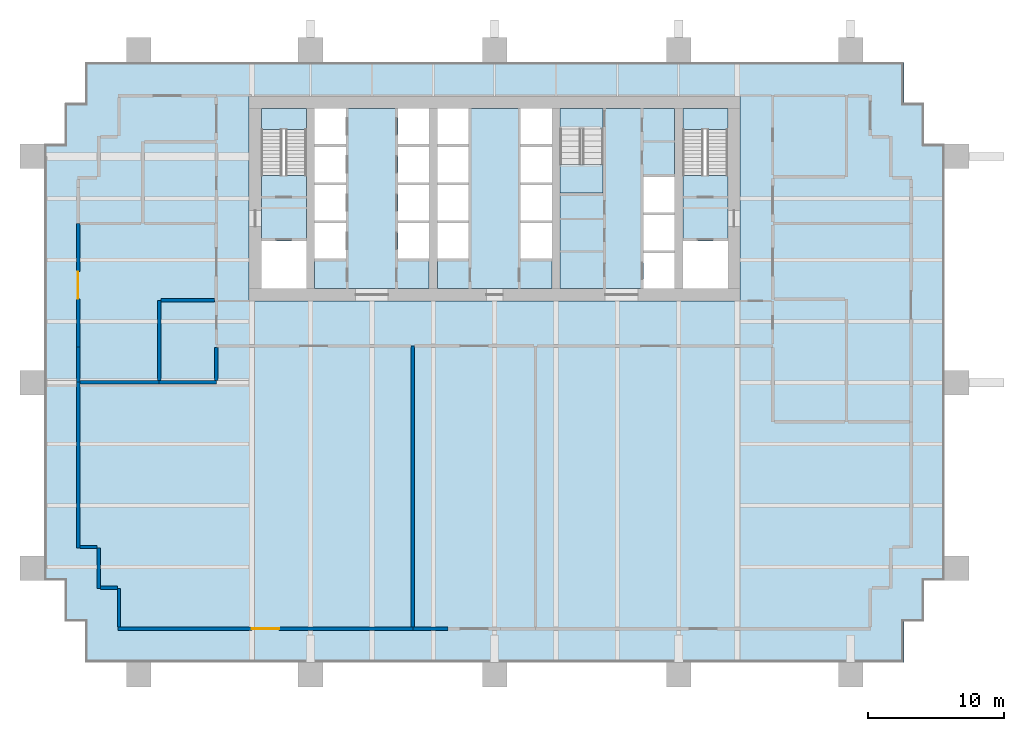
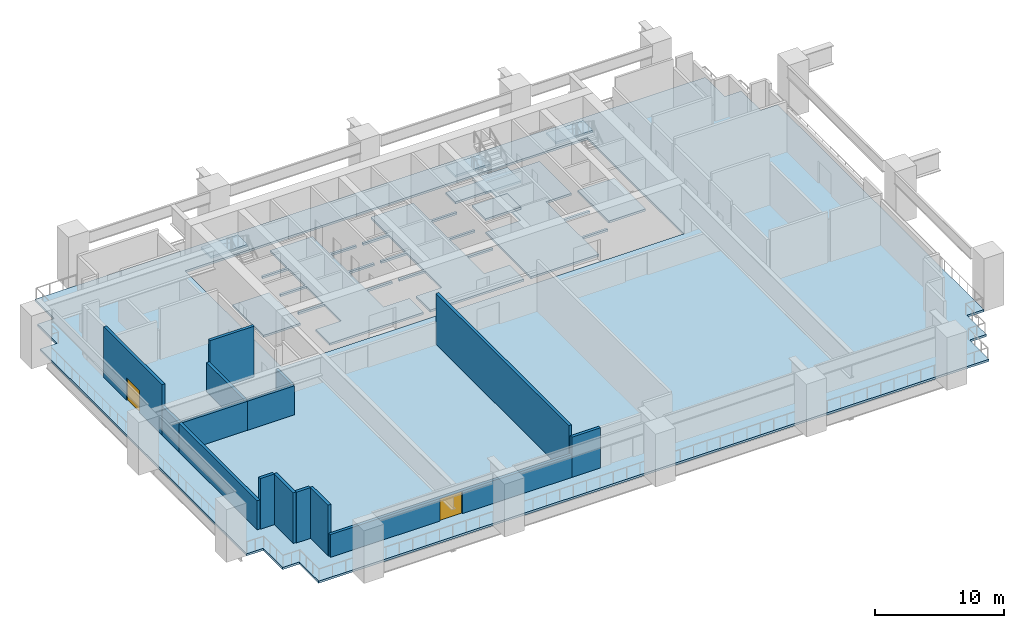
# One storey, part 2 of 11: 15 walls, 11 slabs, 2 doors, 2 openings, 3 elements without a shape of their own.
"""IFC4 building model written with IfcOpenShell, lengths in metres."""

from ifc_helpers import new_model, si_unit, direction, frame, frame_2d, origin, place, context, subcontext, project, spatial, polyline, rectangle, outline, extrude, material, layer, layer_set, type_object, element, fill, aggregate, save


model = new_model("IFC4")

# Units and contexts
model_context = context("Model", 3, precision=1e-05, world=origin(), true_north=direction((0.0, 1.0)))
body_context = subcontext(model_context, "Body", "Model", "MODEL_VIEW")
ifc_project = project(units=[si_unit("LENGTHUNIT", "METRE"), si_unit("AREAUNIT", "SQUARE_METRE"), si_unit("VOLUMEUNIT", "CUBIC_METRE"), si_unit("PLANEANGLEUNIT", "RADIAN"), si_unit("MASSUNIT", "GRAM", prefix="KILO")], contexts=[model_context])

# Site, building, storey
site_placement = place(None, origin())
site = spatial("IfcSite", under=ifc_project, at=site_placement, CompositionType="ELEMENT")
building_placement = place(site_placement, origin())
building = spatial("IfcBuilding", under=site, at=building_placement, Name="Rattan Terrace Tower", CompositionType="ELEMENT")
storey_placement = place(building_placement, frame((0.0, 0.0, 69.300048828125)))
storey = spatial("IfcBuildingStorey", under=building, at=storey_placement, Name="L15", CompositionType="ELEMENT", Elevation=69.300048828125)

# Stair, slab
ifc_material_1 = material(Name="Concrete C40/50", Category="concrete")
stair_type = type_object("IfcStairType", Name="Core exit stair 1500", PredefinedType="HALF_TURN_STAIR", material=ifc_material_1)
stair_1_placement = place(storey_placement, origin())
stair_1 = element("IfcStair", 1, at=stair_1_placement, inside=storey, type_object=stair_type, Name="L15 exit stair 1", PredefinedType="HALF_TURN_STAIR")
ifc_material_2 = material(Name="Concrete C40/50", Category="concrete")
ifc_layer_1 = layer(ifc_material_2, 0.199951171875)
ifc_layer_set_1 = layer_set([ifc_layer_1], Name="Core exit stair landing")
slab_type_1 = type_object("IfcSlabType", Name="Core exit stair landing", PredefinedType="LANDING", material=ifc_layer_set_1)
slab_1_placement = place(storey_placement, frame((0.0, 0.0, 2.300048828125)))
slab_1 = element("IfcSlab", 2, at=slab_1_placement, type_object=slab_type_1, Name="S1 landing 1", PredefinedType="LANDING", context=body_context, shape_type="SweptSolid", body=[
    extrude(outline(polyline([(-13.800048828125, 5.080078125), (-13.800048828125, 6.60009765625), (-17.10009765625, 6.60009765625), (-17.10009765625, 5.080078125), (-13.800048828125, 5.080078125)])), origin(), (0.0, 0.0, 1.0), 0.199951171875),
])
aggregate(stair_1, [slab_1])

stair_2_placement = place(storey_placement, origin())
stair_2 = element("IfcStair", 3, at=stair_2_placement, inside=storey, type_object=stair_type, Name="L15 exit stair 2", PredefinedType="HALF_TURN_STAIR")
slab_2_placement = place(storey_placement, frame((0.0, 0.0, 2.300048828125)))
slab_2 = element("IfcSlab", 4, at=slab_2_placement, type_object=slab_type_1, Name="S2 landing 1", PredefinedType="LANDING", context=body_context, shape_type="SweptSolid", body=[
    extrude(outline(polyline([(17.10009765625, 5.080078125), (17.10009765625, 6.60009765625), (13.800048828125, 6.60009765625), (13.800048828125, 5.080078125), (17.10009765625, 5.080078125)])), origin(), (0.0, 0.0, 1.0), 0.199951171875),
])
aggregate(stair_2, [slab_2])

# Stair, slabs
stair_3_placement = place(storey_placement, origin())
stair_3 = element("IfcStair", 5, at=stair_3_placement, inside=storey, type_object=stair_type, Name="L15 exit stair 3", PredefinedType="HALF_TURN_STAIR")
slab_3_placement = place(storey_placement, frame((0.0, 0.0, 1.050048828125)))
slab_3 = element("IfcSlab", 6, at=slab_3_placement, type_object=slab_type_1, Name="S3 landing 1", PredefinedType="LANDING", context=body_context, shape_type="SweptSolid", body=[
    extrude(outline(polyline([(4.800048828125, 2.52001953125), (4.800048828125, 0.39990234375), (7.949951171875, 0.39990234375), (7.949951171875, 2.52001953125), (4.800048828125, 2.52001953125)])), origin(), (0.0, 0.0, 1.0), 0.199951171875),
])
slab_4_placement = place(storey_placement, frame((0.0, 0.0, 2.300048828125)))
slab_4 = element("IfcSlab", 7, at=slab_4_placement, type_object=slab_type_1, Name="S3 landing 2", PredefinedType="LANDING", context=body_context, shape_type="SweptSolid", body=[
    extrude(outline(polyline([(4.800048828125, 6.60009765625), (4.800048828125, 5.10009765625), (7.949951171875, 5.10009765625), (7.949951171875, 6.60009765625), (4.800048828125, 6.60009765625)])), origin(), (0.0, 0.0, 1.0), 0.199951171875),
])
slab_5_placement = place(storey_placement, frame((0.0, 0.0, 3.550048828125)))
slab_5 = element("IfcSlab", 8, at=slab_5_placement, type_object=slab_type_1, Name="S3 landing 3", PredefinedType="LANDING", context=body_context, shape_type="SweptSolid", body=[
    extrude(outline(polyline([(4.800048828125, 2.52001953125), (4.800048828125, 0.39990234375), (7.949951171875, 0.39990234375), (7.949951171875, 2.52001953125), (4.800048828125, 2.52001953125)])), origin(), (0.0, 0.0, 1.0), 0.199951171875),
])
aggregate(stair_3, [slab_3, slab_4, slab_5])

# Slabs
ifc_material_3 = material(Name="Concrete C35/45", Category="concrete")
ifc_layer_2 = layer(ifc_material_3, 0.199951171875)
ifc_layer_set_2 = layer_set([ifc_layer_2], Name="Frame refuge floor slab 200")
slab_type_2 = type_object("IfcSlabType", Name="Frame refuge floor slab 200", PredefinedType="FLOOR", material=ifc_layer_set_2)
slab_6_placement = place(storey_placement, frame((0.0, 0.0, -0.199951171875)))
element("IfcSlab", 9, at=slab_6_placement, inside=storey, type_object=slab_type_2, Name="Floor slab", PredefinedType="FLOOR", context=body_context, shape_type="SweptSolid", body=[
    extrude(outline(polyline([(-27.0, -34.0), (27.0, -34.0), (30.0, -34.0), (30.0, -31.0), (31.5, -31.0), (31.5, -28.0), (33.0, -28.0), (33.0, 4.0), (31.5, 4.0), (31.5, 7.0), (30.0, 7.0), (30.0, 10.0), (27.0, 10.0), (-27.0, 10.0), (-30.0, 10.0), (-30.0, 7.0), (-31.5, 7.0), (-31.5, 4.0), (-33.0, 4.0), (-33.0, -28.0), (-31.5, -28.0), (-31.5, -31.0), (-30.0, -31.0), (-30.0, -34.0), (-27.0, -34.0)]), holes=[polyline([(-18.0, -6.60009765625), (-18.0, -7.5), (18.0, -7.5), (18.0, -6.60009765625), (18.0, 6.60009765625), (18.0, 7.5), (-18.0, 7.5), (-18.0, 6.60009765625), (-18.0, -6.60009765625)])]), origin(), (0.0, 0.0, 1.0), 0.199951171875),
])
slab_7_placement = place(storey_placement, frame((0.0, 0.0, -0.199951171875)))
element("IfcSlab", 10, at=slab_7_placement, inside=storey, type_object=slab_type_2, Name="Floor slab", PredefinedType="FLOOR", context=body_context, shape_type="SweptSolid", body=[
    extrude(outline(polyline([(-10.89990234375, 6.60009765625), (-10.89990234375, 4.0), (-13.199951171875, 4.0), (-13.199951171875, 3.800048828125), (-10.89990234375, 3.800048828125), (-10.89990234375, 1.199951171875), (-13.199951171875, 1.199951171875), (-13.199951171875, 1.0), (-10.89990234375, 1.0), (-10.89990234375, -1.60009765625), (-13.199951171875, -1.60009765625), (-13.199951171875, -1.800048828125), (-10.89990234375, -1.800048828125), (-10.89990234375, -4.39990234375), (-13.199951171875, -4.39990234375), (-13.199951171875, -6.60009765625), (-4.800048828125, -6.60009765625), (-4.800048828125, -4.39990234375), (-7.10009765625, -4.39990234375), (-7.10009765625, -1.800048828125), (-4.800048828125, -1.800048828125), (-4.800048828125, -1.60009765625), (-7.10009765625, -1.60009765625), (-7.10009765625, 1.0), (-4.800048828125, 1.0), (-4.800048828125, 1.199951171875), (-7.10009765625, 1.199951171875), (-7.10009765625, 3.800048828125), (-4.800048828125, 3.800048828125), (-4.800048828125, 4.0), (-7.10009765625, 4.0), (-7.10009765625, 6.60009765625), (-10.89990234375, 6.60009765625)])), origin(), (0.0, 0.0, 1.0), 0.199951171875),
])
slab_8_placement = place(storey_placement, frame((0.0, 0.0, -0.199951171875)))
element("IfcSlab", 11, at=slab_8_placement, inside=storey, type_object=slab_type_2, Name="Floor slab", PredefinedType="FLOOR", context=body_context, shape_type="SweptSolid", body=[
    extrude(outline(polyline([(-17.10009765625, -3.10009765625), (-13.800048828125, -3.10009765625), (-13.800048828125, 1.7099609375), (-17.10009765625, 1.7099609375), (-17.10009765625, -3.10009765625)])), origin(), (0.0, 0.0, 1.0), 0.199951171875),
])
slab_9_placement = place(storey_placement, frame((0.0, 0.0, -0.199951171875)))
element("IfcSlab", 12, at=slab_9_placement, inside=storey, type_object=slab_type_2, Name="Floor slab", PredefinedType="FLOOR", context=body_context, shape_type="SweptSolid", body=[
    extrude(outline(polyline([(-4.199951171875, 4.0), (-4.199951171875, 3.800048828125), (-1.89990234375, 3.800048828125), (-1.89990234375, 1.199951171875), (-4.199951171875, 1.199951171875), (-4.199951171875, 1.0), (-1.89990234375, 1.0), (-1.89990234375, -1.60009765625), (-4.199951171875, -1.60009765625), (-4.199951171875, -1.800048828125), (-1.89990234375, -1.800048828125), (-1.89990234375, -4.39990234375), (-4.199951171875, -4.39990234375), (-4.199951171875, -6.60009765625), (4.199951171875, -6.60009765625), (4.199951171875, -4.39990234375), (1.89990234375, -4.39990234375), (1.89990234375, -1.800048828125), (4.199951171875, -1.800048828125), (4.199951171875, -1.60009765625), (1.89990234375, -1.60009765625), (1.89990234375, 1.0), (4.199951171875, 1.0), (4.199951171875, 1.199951171875), (1.89990234375, 1.199951171875), (1.89990234375, 3.800048828125), (4.199951171875, 3.800048828125), (4.199951171875, 4.0), (1.89990234375, 4.0), (1.89990234375, 6.60009765625), (-1.89990234375, 6.60009765625), (-1.89990234375, 4.0), (-4.199951171875, 4.0)])), origin(), (0.0, 0.0, 1.0), 0.199951171875),
])
slab_10_placement = place(storey_placement, frame((0.0, 0.0, -0.199951171875)))
element("IfcSlab", 13, at=slab_10_placement, inside=storey, type_object=slab_type_2, Name="Floor slab", PredefinedType="FLOOR", context=body_context, shape_type="SweptSolid", body=[
    extrude(outline(polyline([(4.800048828125, 5.090087890625), (7.949951171875, 5.090087890625), (7.949951171875, 0.39990234375), (4.800048828125, 0.39990234375), (4.800048828125, -6.60009765625), (10.89990234375, -6.60009765625), (10.89990234375, -4.0), (13.199951171875, -4.0), (13.199951171875, -3.800048828125), (10.89990234375, -3.800048828125), (10.89990234375, -1.199951171875), (13.199951171875, -1.199951171875), (13.199951171875, -1.0), (10.89990234375, -1.0), (10.89990234375, 1.60009765625), (13.199951171875, 1.60009765625), (13.199951171875, 6.60009765625), (4.800048828125, 6.60009765625), (4.800048828125, 5.090087890625)])), origin(), (0.0, 0.0, 1.0), 0.199951171875),
])
slab_11_placement = place(storey_placement, frame((0.0, 0.0, -0.199951171875)))
element("IfcSlab", 14, at=slab_11_placement, inside=storey, type_object=slab_type_2, Name="Floor slab", PredefinedType="FLOOR", context=body_context, shape_type="SweptSolid", body=[
    extrude(outline(polyline([(13.800048828125, -3.10009765625), (17.10009765625, -3.10009765625), (17.10009765625, 1.7099609375), (13.800048828125, 1.7099609375), (13.800048828125, -3.10009765625)])), origin(), (0.0, 0.0, 1.0), 0.199951171875),
])

# Walls
ifc_material_4 = material(Name="Reinforced concrete wall, painted", Category="concrete")
ifc_layer_3 = layer(ifc_material_4, 0.25)
ifc_layer_set_3 = layer_set([ifc_layer_3], Name="Floors Refuge Wall 250")
wall_type = type_object("IfcWallType", Name="Floors Refuge Wall 250", PredefinedType="PARTITIONING", material=ifc_layer_set_3)
wall_1_placement = place(storey_placement, frame((-24.59912109375, -13.3291015625, 0.0), z_axis=(0.0, 0.0, 1.0), x_axis=(0.0, 1.0, 0.0)))
element("IfcWall", 15, at=wall_1_placement, inside=storey, type_object=wall_type, Name="pt-L15-016", PredefinedType="PARTITIONING", context=body_context, shape_type="SweptSolid", body=[
    extrude(rectangle(XDim=5.8740234375, YDim=0.25, at=frame_2d((2.93701171875, 0.0))), origin(), (0.0, 0.0, 1.0), 2.75),
])
wall_2_placement = place(storey_placement, frame((-24.47412109375, -7.455078125, 0.0), z_axis=(0.0, 0.0, 1.0), x_axis=(1.0, 0.0, 0.0)))
element("IfcWall", 16, at=wall_2_placement, inside=storey, type_object=wall_type, Name="pt-L15-017", PredefinedType="PARTITIONING", context=body_context, shape_type="SweptSolid", body=[
    extrude(rectangle(XDim=3.94921875, YDim=0.25, at=frame_2d((1.974609375, 0.0))), origin(), (0.0, 0.0, 1.0), 4.800048828125),
])
wall_3_placement = place(storey_placement, frame((-20.39990234375, -10.925048828125, 0.0), z_axis=(0.0, 0.0, 1.0), x_axis=(0.0, -1.0, 0.0)))
element("IfcWall", 17, at=wall_3_placement, inside=storey, type_object=wall_type, Name="pt-L15-018", PredefinedType="PARTITIONING", context=body_context, shape_type="SweptSolid", body=[
    extrude(rectangle(XDim=2.406005859375, YDim=0.25, at=frame_2d((1.203125, 0.0))), origin(), (0.0, 0.0, 1.0), 2.75),
])
wall_4_placement = place(storey_placement, frame((-20.39990234375, -13.4560546875, 0.0), z_axis=(0.0, 0.0, 1.0), x_axis=(-1.0, 0.0, 0.0)))
element("IfcWall", 18, at=wall_4_placement, inside=storey, type_object=wall_type, Name="pt-L15-019", PredefinedType="PARTITIONING", context=body_context, shape_type="SweptSolid", body=[
    extrude(rectangle(XDim=4.2001953125, YDim=0.25, at=frame_2d((2.10009765625, 0.0))), origin(), (0.0, 0.0, 1.0), 2.75),
])
wall_5_placement = place(storey_placement, frame((-24.60009765625, -13.4541015625, 0.0), z_axis=(0.0, 0.0, 1.0), x_axis=(-1.0, 0.0, 0.0)))
element("IfcWall", 19, at=wall_5_placement, inside=storey, type_object=wall_type, Name="pt-L15-022", PredefinedType="PARTITIONING", context=body_context, shape_type="SweptSolid", body=[
    extrude(rectangle(XDim=5.81298828125, YDim=0.25, at=frame_2d((2.906494140625, 0.0))), origin(), (0.0, 0.0, 1.0), 2.75),
])
wall_6_placement = place(storey_placement, frame((-30.5390625, -13.455078125, 0.0), z_axis=(0.0, 0.0, 1.0), x_axis=(0.0, 1.0, 0.0)))
element("IfcWall", 20, at=wall_6_placement, inside=storey, type_object=wall_type, Name="pt-L15-023", PredefinedType="PARTITIONING", context=body_context, shape_type="SweptSolid", body=[
    extrude(rectangle(XDim=2.580078125, YDim=0.25, at=frame_2d((1.2900390625, 0.0))), origin(), (0.0, 0.0, 1.0), 2.75),
])

# Wall, opening, door
wall_7_placement = place(storey_placement, frame((-30.5380859375, -1.818115234375, 0.0), z_axis=(0.0, 0.0, 1.0), x_axis=(0.0, -1.0, 0.0)))
wall_7 = element("IfcWall", 21, at=wall_7_placement, inside=storey, type_object=wall_type, Name="pt-L15-024", PredefinedType="PARTITIONING", context=body_context, shape_type="SweptSolid", body=[
    extrude(rectangle(XDim=9.056884765625, YDim=0.25, at=frame_2d((4.5283203125, 0.0))), origin(), (0.0, 0.0, 1.0), 4.800048828125),
])
opening_1_placement = place(wall_7_placement, frame((3.529052734375, 0.0, 0.0)))
opening_1 = element("IfcOpeningElement", 22, at=opening_1_placement, cuts=wall_7, Name="Opening L15-D103", PredefinedType="OPENING", context=body_context, shape_type="SweptSolid", body=[
    extrude(rectangle(XDim=2.0, YDim=2.10009765625, at=frame_2d((1.0, 1.050048828125))), frame((0.0, 0.135498046875, 0.0), z_axis=(0.0, -1.0, 0.0), x_axis=(1.0, 0.0, 0.0)), (0.0, 0.0, 1.0), 0.27099609375),
])
ifc_material_5 = material(Name="Steel fire door set", Category="steel")
door_type = type_object("IfcDoorType", Name="Floors Plant Equipment Door Pair FD120 2000x2100", OperationType="NOTDEFINED", PredefinedType="DOOR", material=ifc_material_5)
door_1_placement = place(opening_1_placement, origin())
door_1 = element("IfcDoor", 23, at=door_1_placement, inside=storey, type_object=door_type, Name="d-L15-103", OperationType="DOUBLE_DOOR_SINGLE_SWING", OverallHeight=2.10009765625, OverallWidth=2.0, PredefinedType="DOOR", context=body_context, shape_type="SweptSolid", body=[
    extrude(rectangle(XDim=2.0, YDim=2.10009765625, at=frame_2d((1.0, 1.050048828125))), frame((0.0, 0.02490234375, 0.0), z_axis=(0.0, -1.0, 0.0), x_axis=(1.0, 0.0, 0.0)), (0.0, 0.0, 1.0), 0.050048828125),
])
fill(opening_1, door_1)

# Walls
wall_8_placement = place(storey_placement, frame((-6.0, -10.800048828125, 0.0), z_axis=(0.0, 0.0, 1.0), x_axis=(0.0, -1.0, 0.0)))
element("IfcWall", 24, at=wall_8_placement, inside=storey, type_object=wall_type, Name="pt-L15-034", PredefinedType="PARTITIONING", context=body_context, shape_type="SweptSolid", body=[
    extrude(rectangle(XDim=20.613037109375, YDim=0.25, at=frame_2d((10.306640625, 0.0))), origin(), (0.0, 0.0, 1.0), 4.800048828125),
])
wall_9_placement = place(storey_placement, frame((-30.5380859375, -25.60009765625, 0.0), z_axis=(0.0, 0.0, 1.0), x_axis=(0.0, 1.0, 0.0)))
element("IfcWall", 25, at=wall_9_placement, inside=storey, type_object=wall_type, Name="pt-L15-035", PredefinedType="PARTITIONING", context=body_context, shape_type="SweptSolid", body=[
    extrude(rectangle(XDim=12.14501953125, YDim=0.25, at=frame_2d((6.072509765625, 0.0))), origin(), (0.0, 0.0, 1.0), 2.75),
])
wall_10_placement = place(storey_placement, frame((-29.1640625, -25.5390625, 0.0), z_axis=(0.0, 0.0, 1.0), x_axis=(-1.0, 0.0, 0.0)))
element("IfcWall", 26, at=wall_10_placement, inside=storey, type_object=wall_type, Name="pt-L15-036", PredefinedType="PARTITIONING", context=body_context, shape_type="SweptSolid", body=[
    extrude(rectangle(XDim=1.2490234375, YDim=0.25, at=frame_2d((0.62451171875, 0.0))), origin(), (0.0, 0.0, 1.0), 4.800048828125),
])
wall_11_placement = place(storey_placement, frame((-29.0390625, -28.60009765625, 0.0), z_axis=(0.0, 0.0, 1.0), x_axis=(0.0, 1.0, 0.0)))
element("IfcWall", 27, at=wall_11_placement, inside=storey, type_object=wall_type, Name="pt-L15-037", PredefinedType="PARTITIONING", context=body_context, shape_type="SweptSolid", body=[
    extrude(rectangle(XDim=3.0, YDim=0.25, at=frame_2d((1.5, 0.0))), origin(), (0.0, 0.0, 1.0), 4.800048828125),
])
wall_12_placement = place(storey_placement, frame((-27.6640625, -28.5390625, 0.0), z_axis=(0.0, 0.0, 1.0), x_axis=(-1.0, 0.0, 0.0)))
element("IfcWall", 28, at=wall_12_placement, inside=storey, type_object=wall_type, Name="pt-L15-038", PredefinedType="PARTITIONING", context=body_context, shape_type="SweptSolid", body=[
    extrude(rectangle(XDim=1.25, YDim=0.25, at=frame_2d((0.625, 0.0))), origin(), (0.0, 0.0, 1.0), 4.800048828125),
])
wall_13_placement = place(storey_placement, frame((-27.5390625, -31.4130859375, 0.0), z_axis=(0.0, 0.0, 1.0), x_axis=(0.0, 1.0, 0.0)))
element("IfcWall", 29, at=wall_13_placement, inside=storey, type_object=wall_type, Name="pt-L15-039", PredefinedType="PARTITIONING", context=body_context, shape_type="SweptSolid", body=[
    extrude(rectangle(XDim=2.81298828125, YDim=0.25, at=frame_2d((1.406494140625, 0.0))), origin(), (0.0, 0.0, 1.0), 4.800048828125),
])

# Wall, opening, door
wall_14_placement = place(storey_placement, frame((-27.60009765625, -31.5380859375, 0.0), z_axis=(0.0, 0.0, 1.0), x_axis=(1.0, 0.0, 0.0)))
wall_14 = element("IfcWall", 30, at=wall_14_placement, inside=storey, type_object=wall_type, Name="pt-L15-040", PredefinedType="PARTITIONING", context=body_context, shape_type="SweptSolid", body=[
    extrude(rectangle(XDim=21.60009765625, YDim=0.25, at=frame_2d((10.800048828125, 0.0))), origin(), (0.0, 0.0, 1.0), 2.14990234375),
])
opening_2_placement = place(wall_14_placement, frame((9.800048828125, 0.0, 0.0)))
opening_2 = element("IfcOpeningElement", 31, at=opening_2_placement, cuts=wall_14, Name="Opening L15-D108", PredefinedType="OPENING", context=body_context, shape_type="SweptSolid", body=[
    extrude(rectangle(XDim=2.0, YDim=2.10009765625, at=frame_2d((1.0, 1.050048828125))), frame((0.0, 0.135498046875, 0.0), z_axis=(0.0, -1.0, 0.0), x_axis=(1.0, 0.0, 0.0)), (0.0, 0.0, 1.0), 0.27099609375),
])
door_2_placement = place(opening_2_placement, origin())
door_2 = element("IfcDoor", 32, at=door_2_placement, inside=storey, type_object=door_type, Name="d-L15-108", OperationType="DOUBLE_DOOR_SINGLE_SWING", OverallHeight=2.10009765625, OverallWidth=2.0, PredefinedType="DOOR", context=body_context, shape_type="SweptSolid", body=[
    extrude(rectangle(XDim=2.0, YDim=2.10009765625, at=frame_2d((1.0, 1.050048828125))), frame((0.0, 0.02490234375, 0.0), z_axis=(0.0, -1.0, 0.0), x_axis=(1.0, 0.0, 0.0)), (0.0, 0.0, 1.0), 0.050048828125),
])
fill(opening_2, door_2)

# Wall
wall_15_placement = place(storey_placement, frame((-3.419921875, -31.5390625, 0.0), z_axis=(0.0, 0.0, 1.0), x_axis=(-1.0, 0.0, 0.0)))
element("IfcWall", 33, at=wall_15_placement, inside=storey, type_object=wall_type, Name="pt-L15-043", PredefinedType="PARTITIONING", context=body_context, shape_type="SweptSolid", body=[
    extrude(rectangle(XDim=2.580078125, YDim=0.25, at=frame_2d((1.2900390625, 0.0))), origin(), (0.0, 0.0, 1.0), 3.800048828125),
])

save(model, "model.ifc")
